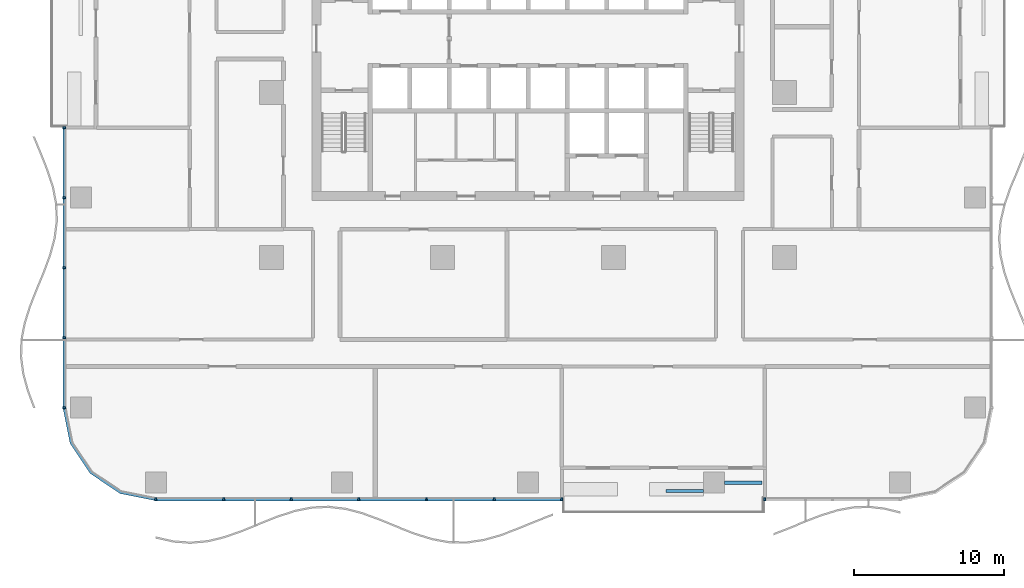
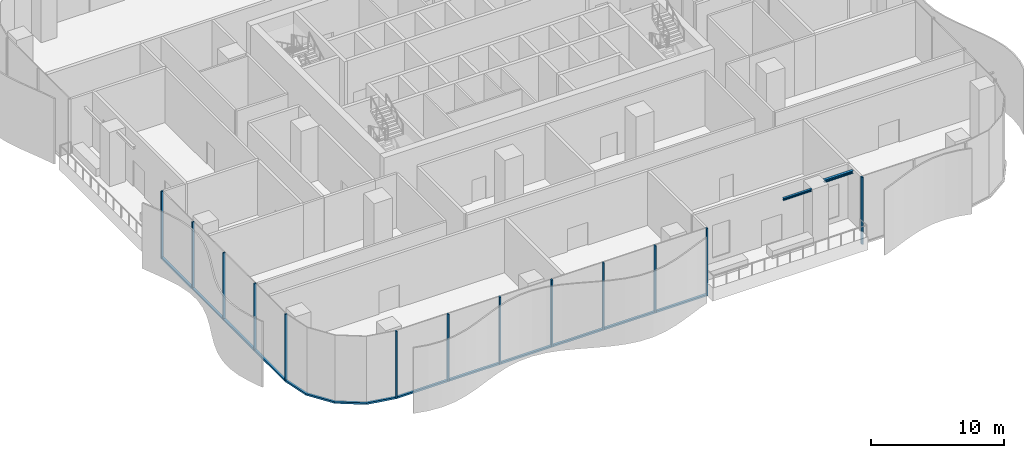
# One storey, part 2 of 21: 24 members, 2 beams, 4 elements without a shape of their own.
"""IFC4 building model written with IfcOpenShell, lengths in metres."""

from ifc_helpers import new_model, si_unit, direction, frame, origin, origin_2d, place, context, subcontext, project, spatial, polyline, rectangle, i_section, outline, extrude, material, material_profile, profile_set, type_object, element, aggregate, save


model = new_model("IFC4")

# Units and contexts
model_context = context("Model", 3, precision=1e-05, world=origin(), true_north=direction((0.0, 1.0)))
body_context = subcontext(model_context, "Body", "Model", "MODEL_VIEW")
ifc_project = project(units=[si_unit("LENGTHUNIT", "METRE"), si_unit("AREAUNIT", "SQUARE_METRE"), si_unit("VOLUMEUNIT", "CUBIC_METRE"), si_unit("PLANEANGLEUNIT", "RADIAN"), si_unit("MASSUNIT", "GRAM", prefix="KILO")], contexts=[model_context])

# Site, building, storey
site_placement = place(None, origin())
site = spatial("IfcSite", under=ifc_project, at=site_placement, CompositionType="ELEMENT")
building_placement = place(site_placement, origin())
building = spatial("IfcBuilding", under=site, at=building_placement, Name="Mopane Tessera Tower", CompositionType="ELEMENT")
storey_placement = place(building_placement, frame((0.0, 0.0, 9.0)))
storey = spatial("IfcBuildingStorey", under=building, at=storey_placement, Name="L01", CompositionType="ELEMENT", Elevation=9.0)

# Curtain wall, members
ifc_material_1 = material(Name="Aluminium frame", Category="aluminium")
curtain_wall_type = type_object("IfcCurtainWallType", Name="Podium unitised wall", PredefinedType="NOTDEFINED", material=ifc_material_1)
curtain_wall_1_placement = place(storey_placement, origin())
curtain_wall_1 = element("IfcCurtainWall", 1, at=curtain_wall_1_placement, inside=storey, type_object=curtain_wall_type, Name="e:cw:L01:S:0", PredefinedType="NOTDEFINED")
ifc_material_2 = material(Name="Aluminium frame", Category="aluminium")
ifc_material_profile_1 = material_profile(ifc_material_2, rectangle(XDim=0.125, YDim=0.199951171875, at=origin_2d()))
ifc_profile_set_1 = profile_set([ifc_material_profile_1], Name="Aluminium frame")
member_type_1 = type_object("IfcMemberType", Name="Aluminium mullion 125 x 200", PredefinedType="MULLION", material=ifc_profile_set_1)
member_1_placement = place(storey_placement, frame((-24.800048828125, -27.10009765625, -1.199951171875), z_axis=(0.0, 0.0, 1.0), x_axis=(1.0, 0.0, 0.0)))
member_1 = element("IfcMember", 2, at=member_1_placement, type_object=member_type_1, Name="e:cw:L01:S:0:mu0", PredefinedType="MULLION", context=body_context, shape_type="SweptSolid", body=[
    extrude(rectangle(XDim=0.125, YDim=0.199951171875, at=origin_2d()), origin(), (0.0, 0.0, 1.0), 6.199951171875),
])
member_2_placement = place(storey_placement, frame((-20.291015625, -27.10009765625, -1.199951171875), z_axis=(0.0, 0.0, 1.0), x_axis=(1.0, 0.0, 0.0)))
member_2 = element("IfcMember", 3, at=member_2_placement, type_object=member_type_1, Name="e:cw:L01:S:0:mu1", PredefinedType="MULLION", context=body_context, shape_type="SweptSolid", body=[
    extrude(rectangle(XDim=0.125, YDim=0.199951171875, at=origin_2d()), origin(), (0.0, 0.0, 1.0), 6.199951171875),
])
member_3_placement = place(storey_placement, frame((-15.78173828125, -27.10009765625, -1.199951171875), z_axis=(0.0, 0.0, 1.0), x_axis=(1.0, 0.0, 0.0)))
member_3 = element("IfcMember", 4, at=member_3_placement, type_object=member_type_1, Name="e:cw:L01:S:0:mu2", PredefinedType="MULLION", context=body_context, shape_type="SweptSolid", body=[
    extrude(rectangle(XDim=0.125, YDim=0.199951171875, at=origin_2d()), origin(), (0.0, 0.0, 1.0), 6.199951171875),
])
member_4_placement = place(storey_placement, frame((-11.272705078125, -27.10009765625, -1.199951171875), z_axis=(0.0, 0.0, 1.0), x_axis=(1.0, 0.0, 0.0)))
member_4 = element("IfcMember", 5, at=member_4_placement, type_object=member_type_1, Name="e:cw:L01:S:0:mu3", PredefinedType="MULLION", context=body_context, shape_type="SweptSolid", body=[
    extrude(rectangle(XDim=0.125, YDim=0.199951171875, at=origin_2d()), origin(), (0.0, 0.0, 1.0), 6.199951171875),
])
member_5_placement = place(storey_placement, frame((-6.763671875, -27.10009765625, -1.199951171875), z_axis=(0.0, 0.0, 1.0), x_axis=(1.0, 0.0, 0.0)))
member_5 = element("IfcMember", 6, at=member_5_placement, type_object=member_type_1, Name="e:cw:L01:S:0:mu4", PredefinedType="MULLION", context=body_context, shape_type="SweptSolid", body=[
    extrude(rectangle(XDim=0.125, YDim=0.199951171875, at=origin_2d()), origin(), (0.0, 0.0, 1.0), 6.199951171875),
])
member_6_placement = place(storey_placement, frame((-2.254638671875, -27.10009765625, -1.199951171875), z_axis=(0.0, 0.0, 1.0), x_axis=(1.0, 0.0, 0.0)))
member_6 = element("IfcMember", 7, at=member_6_placement, type_object=member_type_1, Name="e:cw:L01:S:0:mu5", PredefinedType="MULLION", context=body_context, shape_type="SweptSolid", body=[
    extrude(rectangle(XDim=0.125, YDim=0.199951171875, at=origin_2d()), origin(), (0.0, 0.0, 1.0), 6.199951171875),
])
member_7_placement = place(storey_placement, frame((2.254638671875, -27.10009765625, -1.199951171875), z_axis=(0.0, 0.0, 1.0), x_axis=(1.0, 0.0, 0.0)))
member_7 = element("IfcMember", 8, at=member_7_placement, type_object=member_type_1, Name="e:cw:L01:S:0:mu6", PredefinedType="MULLION", context=body_context, shape_type="SweptSolid", body=[
    extrude(rectangle(XDim=0.125, YDim=0.199951171875, at=origin_2d()), origin(), (0.0, 0.0, 1.0), 6.199951171875),
])

# Curtain wall, member
curtain_wall_2_placement = place(storey_placement, origin())
curtain_wall_2 = element("IfcCurtainWall", 9, at=curtain_wall_2_placement, inside=storey, type_object=curtain_wall_type, Name="e:cw:L01:S:9", PredefinedType="NOTDEFINED")
member_8_placement = place(storey_placement, frame((15.78173828125, -27.10009765625, -1.199951171875), z_axis=(0.0, 0.0, 1.0), x_axis=(1.0, 0.0, 0.0)))
member_8 = element("IfcMember", 10, at=member_8_placement, type_object=member_type_1, Name="e:cw:L01:S:9:mu9", PredefinedType="MULLION", context=body_context, shape_type="SweptSolid", body=[
    extrude(rectangle(XDim=0.125, YDim=0.199951171875, at=origin_2d()), origin(), (0.0, 0.0, 1.0), 6.199951171875),
])
aggregate(curtain_wall_2, [member_8])

# Curtain wall, members
curtain_wall_3_placement = place(storey_placement, origin())
curtain_wall_3 = element("IfcCurtainWall", 11, at=curtain_wall_3_placement, inside=storey, type_object=curtain_wall_type, Name="e:cw:L01:W:5", PredefinedType="NOTDEFINED")
member_9_placement = place(storey_placement, frame((-30.89990234375, -2.333251953125, -1.199951171875), z_axis=(0.0, 0.0, 1.0), x_axis=(0.0, -1.0, 0.0)))
member_9 = element("IfcMember", 12, at=member_9_placement, type_object=member_type_1, Name="e:cw:L01:W:5:mu5", PredefinedType="MULLION", context=body_context, shape_type="SweptSolid", body=[
    extrude(rectangle(XDim=0.125, YDim=0.199951171875, at=origin_2d()), origin(), (0.0, 0.0, 1.0), 6.199951171875),
])
member_10_placement = place(storey_placement, frame((-30.89990234375, -7.0, -1.199951171875), z_axis=(0.0, 0.0, 1.0), x_axis=(0.0, -1.0, 0.0)))
member_10 = element("IfcMember", 13, at=member_10_placement, type_object=member_type_1, Name="e:cw:L01:W:5:mu6", PredefinedType="MULLION", context=body_context, shape_type="SweptSolid", body=[
    extrude(rectangle(XDim=0.125, YDim=0.199951171875, at=origin_2d()), origin(), (0.0, 0.0, 1.0), 6.199951171875),
])
member_11_placement = place(storey_placement, frame((-30.89990234375, -11.666748046875, -1.199951171875), z_axis=(0.0, 0.0, 1.0), x_axis=(0.0, -1.0, 0.0)))
member_11 = element("IfcMember", 14, at=member_11_placement, type_object=member_type_1, Name="e:cw:L01:W:5:mu7", PredefinedType="MULLION", context=body_context, shape_type="SweptSolid", body=[
    extrude(rectangle(XDim=0.125, YDim=0.199951171875, at=origin_2d()), origin(), (0.0, 0.0, 1.0), 6.199951171875),
])
member_12_placement = place(storey_placement, frame((-30.89990234375, -16.333251953125, -1.199951171875), z_axis=(0.0, 0.0, 1.0), x_axis=(0.0, -1.0, 0.0)))
member_12 = element("IfcMember", 15, at=member_12_placement, type_object=member_type_1, Name="e:cw:L01:W:5:mu8", PredefinedType="MULLION", context=body_context, shape_type="SweptSolid", body=[
    extrude(rectangle(XDim=0.125, YDim=0.199951171875, at=origin_2d()), origin(), (0.0, 0.0, 1.0), 6.199951171875),
])
member_13_placement = place(storey_placement, frame((-30.89990234375, -21.0, -1.199951171875), z_axis=(0.0, 0.0, 1.0), x_axis=(0.0, -1.0, 0.0)))
member_13 = element("IfcMember", 16, at=member_13_placement, type_object=member_type_1, Name="e:cw:L01:W:5:mu9", PredefinedType="MULLION", context=body_context, shape_type="SweptSolid", body=[
    extrude(rectangle(XDim=0.125, YDim=0.199951171875, at=origin_2d()), origin(), (0.0, 0.0, 1.0), 6.199951171875),
])

# Member
ifc_material_3 = material(Name="Aluminium frame", Category="aluminium")
ifc_material_profile_2 = material_profile(ifc_material_3, rectangle(XDim=0.199951171875, YDim=0.159912109375, at=origin_2d()))
ifc_profile_set_2 = profile_set([ifc_material_profile_2], Name="Aluminium frame")
member_type_2 = type_object("IfcMemberType", Name="Aluminium transom 200 x 160", PredefinedType="USERDEFINED", material=ifc_profile_set_2)
member_14_placement = place(storey_placement, frame((-24.737548828125, -27.10009765625, -1.1201171875), z_axis=(1.0, 0.0, 0.0), x_axis=(0.0, 1.0, 0.0)))
member_14 = element("IfcMember", 17, at=member_14_placement, type_object=member_type_2, Name="e:cw:L01:S:0:tr0", ObjectType="TRANSOM", PredefinedType="USERDEFINED", context=body_context, shape_type="SweptSolid", body=[
    extrude(rectangle(XDim=0.199951171875, YDim=0.159912109375, at=origin_2d()), origin(), (0.0, 0.0, 1.0), 4.384033203125),
])

member_15_placement = place(storey_placement, frame((-20.228515625, -27.10009765625, -1.1201171875), z_axis=(1.0, 0.0, 0.0), x_axis=(0.0, 1.0, 0.0)))
member_15 = element("IfcMember", 18, at=member_15_placement, type_object=member_type_2, Name="e:cw:L01:S:0:tr1", ObjectType="TRANSOM", PredefinedType="USERDEFINED", context=body_context, shape_type="SweptSolid", body=[
    extrude(rectangle(XDim=0.199951171875, YDim=0.159912109375, at=origin_2d()), origin(), (0.0, 0.0, 1.0), 4.38427734375),
])

member_16_placement = place(storey_placement, frame((-15.71923828125, -27.10009765625, -1.1201171875), z_axis=(1.0, 0.0, 0.0), x_axis=(0.0, 1.0, 0.0)))
member_16 = element("IfcMember", 19, at=member_16_placement, type_object=member_type_2, Name="e:cw:L01:S:0:tr2", ObjectType="TRANSOM", PredefinedType="USERDEFINED", context=body_context, shape_type="SweptSolid", body=[
    extrude(rectangle(XDim=0.199951171875, YDim=0.159912109375, at=origin_2d()), origin(), (0.0, 0.0, 1.0), 4.384033203125),
])

member_17_placement = place(storey_placement, frame((-11.210205078125, -27.10009765625, -1.1201171875), z_axis=(1.0, 0.0, 0.0), x_axis=(0.0, 1.0, 0.0)))
member_17 = element("IfcMember", 20, at=member_17_placement, type_object=member_type_2, Name="e:cw:L01:S:0:tr3", ObjectType="TRANSOM", PredefinedType="USERDEFINED", context=body_context, shape_type="SweptSolid", body=[
    extrude(rectangle(XDim=0.199951171875, YDim=0.159912109375, at=origin_2d()), origin(), (0.0, 0.0, 1.0), 4.384033203125),
])

member_18_placement = place(storey_placement, frame((-6.701171875, -27.10009765625, -1.1201171875), z_axis=(1.0, 0.0, 0.0), x_axis=(0.0, 1.0, 0.0)))
member_18 = element("IfcMember", 21, at=member_18_placement, type_object=member_type_2, Name="e:cw:L01:S:0:tr4", ObjectType="TRANSOM", PredefinedType="USERDEFINED", context=body_context, shape_type="SweptSolid", body=[
    extrude(rectangle(XDim=0.199951171875, YDim=0.159912109375, at=origin_2d()), origin(), (0.0, 0.0, 1.0), 4.384033203125),
])

member_19_placement = place(storey_placement, frame((-2.192138671875, -27.10009765625, -1.1201171875), z_axis=(1.0, 0.0, 0.0), x_axis=(0.0, 1.0, 0.0)))
member_19 = element("IfcMember", 22, at=member_19_placement, type_object=member_type_2, Name="e:cw:L01:S:0:tr5", ObjectType="TRANSOM", PredefinedType="USERDEFINED", context=body_context, shape_type="SweptSolid", body=[
    extrude(rectangle(XDim=0.199951171875, YDim=0.159912109375, at=origin_2d()), origin(), (0.0, 0.0, 1.0), 4.38427734375),
])

aggregate(curtain_wall_1, [member_1, member_2, member_3, member_4, member_5, member_6, member_7, member_14, member_15, member_16, member_17, member_18, member_19])

member_20_placement = place(storey_placement, frame((-30.89990234375, -2.395751953125, -1.1201171875), z_axis=(0.0, -1.0, 0.0), x_axis=(1.0, 0.0, 0.0)))
member_20 = element("IfcMember", 23, at=member_20_placement, type_object=member_type_2, Name="e:cw:L01:W:5:tr5", ObjectType="TRANSOM", PredefinedType="USERDEFINED", context=body_context, shape_type="SweptSolid", body=[
    extrude(rectangle(XDim=0.199951171875, YDim=0.159912109375, at=origin_2d()), origin(), (0.0, 0.0, 1.0), 4.541748046875),
])

member_21_placement = place(storey_placement, frame((-30.89990234375, -7.0625, -1.1201171875), z_axis=(0.0, -1.0, 0.0), x_axis=(1.0, 0.0, 0.0)))
member_21 = element("IfcMember", 24, at=member_21_placement, type_object=member_type_2, Name="e:cw:L01:W:5:tr6", ObjectType="TRANSOM", PredefinedType="USERDEFINED", context=body_context, shape_type="SweptSolid", body=[
    extrude(rectangle(XDim=0.199951171875, YDim=0.159912109375, at=origin_2d()), origin(), (0.0, 0.0, 1.0), 4.541748046875),
])

member_22_placement = place(storey_placement, frame((-30.89990234375, -11.729248046875, -1.1201171875), z_axis=(0.0, -1.0, 0.0), x_axis=(1.0, 0.0, 0.0)))
member_22 = element("IfcMember", 25, at=member_22_placement, type_object=member_type_2, Name="e:cw:L01:W:5:tr7", ObjectType="TRANSOM", PredefinedType="USERDEFINED", context=body_context, shape_type="SweptSolid", body=[
    extrude(rectangle(XDim=0.199951171875, YDim=0.159912109375, at=origin_2d()), origin(), (0.0, 0.0, 1.0), 4.54150390625),
])

member_23_placement = place(storey_placement, frame((-30.89990234375, -16.395751953125, -1.1201171875), z_axis=(0.0, -1.0, 0.0), x_axis=(1.0, 0.0, 0.0)))
member_23 = element("IfcMember", 26, at=member_23_placement, type_object=member_type_2, Name="e:cw:L01:W:5:tr8", ObjectType="TRANSOM", PredefinedType="USERDEFINED", context=body_context, shape_type="SweptSolid", body=[
    extrude(rectangle(XDim=0.199951171875, YDim=0.159912109375, at=origin_2d()), origin(), (0.0, 0.0, 1.0), 4.541748046875),
])

aggregate(curtain_wall_3, [member_9, member_10, member_11, member_12, member_13, member_20, member_21, member_22, member_23])

# Curtain wall, member
curtain_wall_4_placement = place(storey_placement, origin())
curtain_wall_4 = element("IfcCurtainWall", 27, at=curtain_wall_4_placement, inside=storey, type_object=curtain_wall_type, Name="e:cw:L01:CW", PredefinedType="NOTDEFINED")
member_24_placement = place(storey_placement, frame((0.0, 0.0, -1.199951171875)))
member_24 = element("IfcMember", 28, at=member_24_placement, type_object=member_type_2, Name="e:cw:L01:CW:tr", ObjectType="TRANSOM", PredefinedType="USERDEFINED", context=body_context, shape_type="SweptSolid", body=[
    extrude(outline(polyline([(-30.800048828125, -21.0), (-30.34326171875, -23.296142578125), (-29.042724609375, -25.24267578125), (-27.09619140625, -26.543212890625), (-24.800048828125, -27.0), (-24.800048828125, -27.199951171875), (-27.172607421875, -26.72802734375), (-29.18408203125, -25.384033203125), (-30.528076171875, -23.37255859375), (-31.0, -21.0), (-30.800048828125, -21.0)])), origin(), (0.0, 0.0, 1.0), 0.159912109375),
])
aggregate(curtain_wall_4, [member_24])

# Beams
ifc_material_4 = material(Name="Structural steel S460", Category="steel")
ifc_material_profile_3 = material_profile(ifc_material_4, i_section(OverallWidth=0.239990234375, OverallDepth=0.239990234375, WebThickness=0.010009765625, FlangeThickness=0.01708984375, FilletRadius=0.02099609375, at=origin_2d()))
ifc_profile_set_3 = profile_set([ifc_material_profile_3], Name="Structural steel S460")
beam_type_1 = type_object("IfcBeamType", Name="Terrace spandrel beam HE 240 B", PredefinedType="SPANDREL", material=ifc_profile_set_3)
beam_1_placement = place(storey_placement, frame((13.102783203125, -26.0, 4.8798828125), z_axis=(1.0, 0.0, 0.0), x_axis=(0.0, 1.0, 0.0)))
element("IfcBeam", 29, at=beam_1_placement, inside=storey, type_object=beam_type_1, Name="Terrace spandrel beam N1 L02", PredefinedType="SPANDREL", context=body_context, shape_type="SweptSolid", body=[
    extrude(i_section(OverallWidth=0.239990234375, OverallDepth=0.239990234375, WebThickness=0.010009765625, FlangeThickness=0.01708984375, FilletRadius=0.02099609375, at=origin_2d()), origin(), (0.0, 0.0, 1.0), 2.5),
])
ifc_material_5 = material(Name="Structural steel S460", Category="steel")
ifc_material_profile_4 = material_profile(ifc_material_5, i_section(OverallWidth=0.199951171875, OverallDepth=0.199951171875, WebThickness=0.009033203125, FlangeThickness=0.014892578125, FilletRadius=0.01806640625, at=origin_2d()))
ifc_profile_set_4 = profile_set([ifc_material_profile_4], Name="Structural steel S460")
beam_type_2 = type_object("IfcBeamType", Name="Terrace trimmer beam HE 200 B", PredefinedType="BEAM", material=ifc_profile_set_4)
beam_2_placement = place(storey_placement, frame((11.697021484375, -26.56005859375, 4.89990234375), z_axis=(-1.0, 0.0, 0.0), x_axis=(0.0, -1.0, 0.0)))
element("IfcBeam", 30, at=beam_2_placement, inside=storey, type_object=beam_type_2, Name="Terrace trimmer beam N1 L02", PredefinedType="BEAM", context=body_context, shape_type="SweptSolid", body=[
    extrude(i_section(OverallWidth=0.199951171875, OverallDepth=0.199951171875, WebThickness=0.009033203125, FlangeThickness=0.014892578125, FilletRadius=0.01806640625, at=origin_2d()), origin(), (0.0, 0.0, 1.0), 2.5),
])

save(model, "model.ifc")
